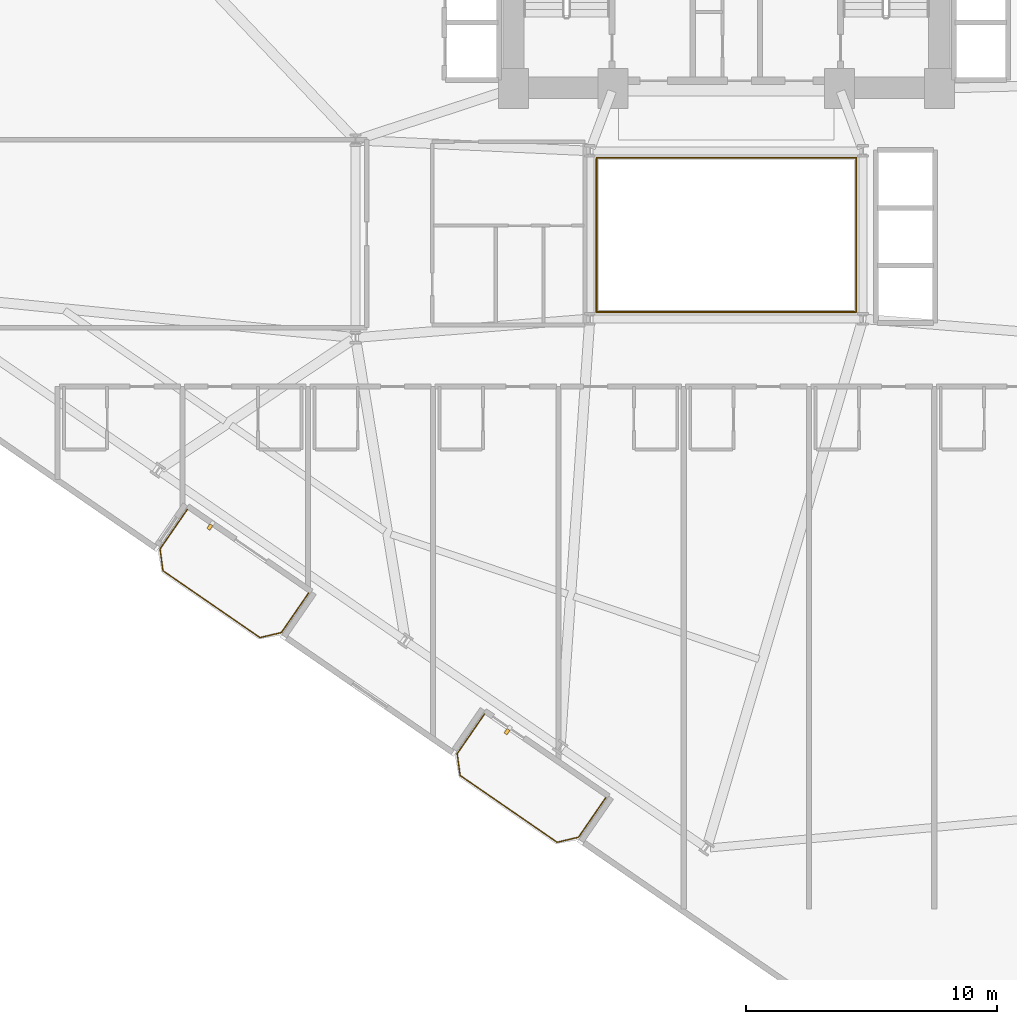
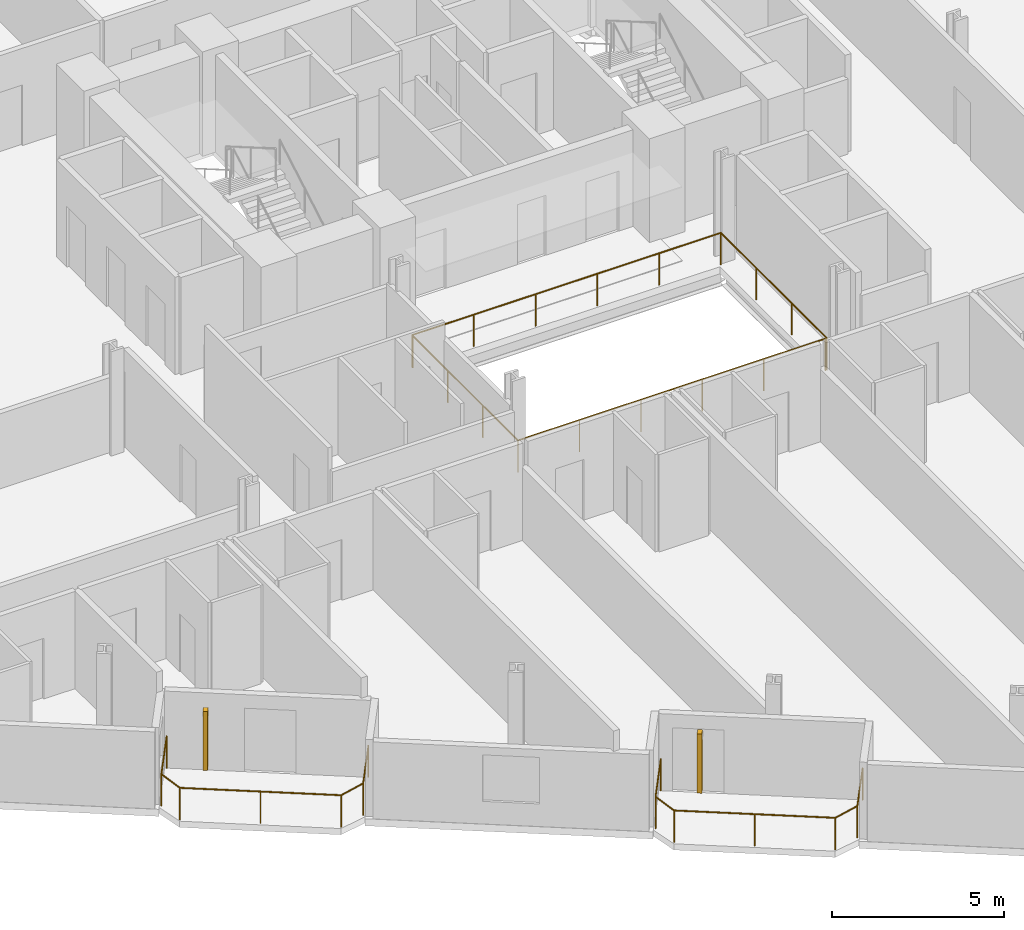
# One storey, part 23 of 25: 4 railings, 2 shading devices.
"""IFC4 building model written with IfcOpenShell, lengths in metres."""

from ifc_helpers import new_model, si_unit, direction, frame, origin, origin_2d, place, context, subcontext, project, spatial, rectangle, circle, extrude, source, transform, mapped, material, type_object, element, save


model = new_model("IFC4")

# Units and contexts
model_context = context("Model", 3, precision=1e-05, world=origin(), true_north=direction((0.0, 1.0)))
body_context = subcontext(model_context, "Body", "Model", "MODEL_VIEW")
ifc_project = project(units=[si_unit("LENGTHUNIT", "METRE"), si_unit("AREAUNIT", "SQUARE_METRE"), si_unit("VOLUMEUNIT", "CUBIC_METRE"), si_unit("PLANEANGLEUNIT", "RADIAN"), si_unit("MASSUNIT", "GRAM", prefix="KILO")], contexts=[model_context])

# Site, building, storey
site_placement = place(None, origin())
site = spatial("IfcSite", under=ifc_project, at=site_placement, CompositionType="ELEMENT")
building_placement = place(site_placement, origin())
building = spatial("IfcBuilding", under=site, at=building_placement, Name="Varnelok Gate Tower", CompositionType="ELEMENT")
storey_placement = place(building_placement, frame((0.0, 0.0, 34.39990234375)))
storey = spatial("IfcBuildingStorey", under=building, at=storey_placement, Name="L07", CompositionType="ELEMENT", Elevation=34.39990234375)

# Railings
ifc_material_1 = material(Name="Tempered Laminated Balustrade Glass", Category="glass")
railing_type_1 = type_object("IfcRailingType", Name="RL-ATR-GUARD1150", PredefinedType="GUARDRAIL", material=ifc_material_1)
railing_1_placement = place(storey_placement, frame((34.02001953125, 25.929931640625, 0.0)))
element("IfcRailing", 1, at=railing_1_placement, inside=storey, type_object=railing_type_1, Name="L07 Internal Atrium South-West Guardrail", PredefinedType="GUARDRAIL", context=body_context, shape_type="SweptSolid", body=[
    extrude(circle(Radius=0.02392578125, at=origin_2d()), frame((0.0, 0.0, 1.1259765625), z_axis=(0.0, -1.0, 0.0), x_axis=(1.0, 0.0, 0.0)), (0.0, 0.0, 1.0), 6.10986328125),
    extrude(circle(Radius=0.02392578125, at=origin_2d()), frame((0.0, -6.10986328125, 1.1259765625), z_axis=(1.0, 0.0, 0.0), x_axis=(0.0, 1.0, 0.0)), (0.0, 0.0, 1.0), 10.31005859375),
    extrude(circle(Radius=0.02099609375, at=origin_2d()), origin(), (0.0, 0.0, 1.0), 1.101806640625),
    extrude(circle(Radius=0.02099609375, at=origin_2d()), frame((0.0, -2.03662109375, 0.0)), (0.0, 0.0, 1.0), 1.101806640625),
    extrude(circle(Radius=0.02099609375, at=origin_2d()), frame((0.0, -4.0732421875, 0.0)), (0.0, 0.0, 1.0), 1.101806640625),
    extrude(circle(Radius=0.02099609375, at=origin_2d()), frame((0.0, -6.10986328125, 0.0)), (0.0, 0.0, 1.0), 1.101806640625),
    extrude(circle(Radius=0.02099609375, at=origin_2d()), frame((2.06201171875, -6.10986328125, 0.0)), (0.0, 0.0, 1.0), 1.101806640625),
    extrude(circle(Radius=0.02099609375, at=origin_2d()), frame((4.1240234375, -6.10986328125, 0.0)), (0.0, 0.0, 1.0), 1.101806640625),
    extrude(circle(Radius=0.02099609375, at=origin_2d()), frame((6.18603515625, -6.10986328125, 0.0)), (0.0, 0.0, 1.0), 1.101806640625),
    extrude(circle(Radius=0.02099609375, at=origin_2d()), frame((8.248046875, -6.10986328125, 0.0)), (0.0, 0.0, 1.0), 1.101806640625),
    extrude(circle(Radius=0.02099609375, at=origin_2d()), frame((10.31005859375, -6.10986328125, 0.0)), (0.0, 0.0, 1.0), 1.101806640625),
])
railing_2_placement = place(storey_placement, frame((44.3798828125, 19.820068359375, 0.0)))
element("IfcRailing", 2, at=railing_2_placement, inside=storey, type_object=railing_type_1, Name="L07 Internal Atrium North-East Guardrail", PredefinedType="GUARDRAIL", context=body_context, shape_type="SweptSolid", body=[
    extrude(circle(Radius=0.02392578125, at=origin_2d()), frame((0.0, 0.0, 1.1259765625), z_axis=(0.0, 1.0, 0.0), x_axis=(-1.0, 0.0, 0.0)), (0.0, 0.0, 1.0), 6.159912109375),
    extrude(circle(Radius=0.02392578125, at=origin_2d()), frame((0.0, 6.159912109375, 1.1259765625), z_axis=(-1.0, 0.0, 0.0), x_axis=(0.0, -1.0, 0.0)), (0.0, 0.0, 1.0), 10.35986328125),
    extrude(circle(Radius=0.02099609375, at=origin_2d()), origin(), (0.0, 0.0, 1.0), 1.101806640625),
    extrude(circle(Radius=0.02099609375, at=origin_2d()), frame((0.0, 2.05322265625, 0.0)), (0.0, 0.0, 1.0), 1.101806640625),
    extrude(circle(Radius=0.02099609375, at=origin_2d()), frame((0.0, 4.106689453125, 0.0)), (0.0, 0.0, 1.0), 1.101806640625),
    extrude(circle(Radius=0.02099609375, at=origin_2d()), frame((0.0, 6.159912109375, 0.0)), (0.0, 0.0, 1.0), 1.101806640625),
    extrude(circle(Radius=0.02099609375, at=origin_2d()), frame((-2.072021484375, 6.159912109375, 0.0)), (0.0, 0.0, 1.0), 1.101806640625),
    extrude(circle(Radius=0.02099609375, at=origin_2d()), frame((-4.14404296875, 6.159912109375, 0.0)), (0.0, 0.0, 1.0), 1.101806640625),
    extrude(circle(Radius=0.02099609375, at=origin_2d()), frame((-6.2158203125, 6.159912109375, 0.0)), (0.0, 0.0, 1.0), 1.101806640625),
    extrude(circle(Radius=0.02099609375, at=origin_2d()), frame((-8.287841796875, 6.159912109375, 0.0)), (0.0, 0.0, 1.0), 1.101806640625),
    extrude(circle(Radius=0.02099609375, at=origin_2d()), frame((-10.35986328125, 6.159912109375, 0.0)), (0.0, 0.0, 1.0), 1.101806640625),
])
ifc_material_2 = material(Name="Low-E Laminated Double Glazing IGU", Category="glass")
railing_type_2 = type_object("IfcRailingType", Name="RL-BALC-1150", PredefinedType="BALUSTRADE", material=ifc_material_2)
railing_3_placement = place(storey_placement, frame((17.688720703125, 11.9462890625, 0.0)))
element("IfcRailing", 3, at=railing_3_placement, inside=storey, type_object=railing_type_2, Name="L07 South Terrace Balustrade 1", PredefinedType="BALUSTRADE", context=body_context, shape_type="SweptSolid", body=[
    extrude(circle(Radius=0.02392578125, at=origin_2d()), frame((0.0, 0.0, 1.1259765625), z_axis=(-0.567224752248, -0.823563039747, 0.0), x_axis=(0.823563039747, -0.567224752248, 0.0)), (0.0, 0.0, 1.0), 1.920166015625),
    extrude(circle(Radius=0.02392578125, at=origin_2d()), frame((-1.089111328125, -1.581298828125, 1.1259765625), z_axis=(0.133511834152, -0.991047218926, 0.0), x_axis=(0.991047218926, 0.133511834152, 0.0)), (0.0, 0.0, 1.0), 0.877685546875),
    extrude(circle(Radius=0.02392578125, at=origin_2d()), frame((-0.971923828125, -2.451171875, 1.1259765625), z_axis=(0.823523239622, -0.567282534371, 0.0), x_axis=(0.567282534371, 0.823523239622, 0.0)), (0.0, 0.0, 1.0), 4.699951171875),
    extrude(circle(Radius=0.02392578125, at=origin_2d()), frame((2.898681640625, -5.117431640625, 1.1259765625), z_axis=(0.973573806257, 0.228372598553, 0.0), x_axis=(-0.228372598553, 0.973573806257, 0.0)), (0.0, 0.0, 1.0), 0.877685546875),
    extrude(circle(Radius=0.02392578125, at=origin_2d()), frame((3.753173828125, -4.9169921875, 1.1259765625), z_axis=(0.567224752248, 0.823563039747, 0.0), x_axis=(-0.823563039747, 0.567224752248, 0.0)), (0.0, 0.0, 1.0), 1.920166015625),
    extrude(circle(Radius=0.02099609375, at=origin_2d()), origin(), (0.0, 0.0, 1.0), 1.101806640625),
    extrude(circle(Radius=0.02099609375, at=origin_2d()), frame((-1.089111328125, -1.581298828125, 0.0)), (0.0, 0.0, 1.0), 1.101806640625),
    extrude(circle(Radius=0.02099609375, at=origin_2d()), frame((-0.971923828125, -2.451171875, 0.0)), (0.0, 0.0, 1.0), 1.101806640625),
    extrude(circle(Radius=0.02099609375, at=origin_2d()), frame((0.96337890625, -3.7841796875, 0.0)), (0.0, 0.0, 1.0), 1.101806640625),
    extrude(circle(Radius=0.02099609375, at=origin_2d()), frame((2.898681640625, -5.117431640625, 0.0)), (0.0, 0.0, 1.0), 1.101806640625),
    extrude(circle(Radius=0.02099609375, at=origin_2d()), frame((3.753173828125, -4.9169921875, 0.0)), (0.0, 0.0, 1.0), 1.101806640625),
    extrude(circle(Radius=0.02099609375, at=origin_2d()), frame((4.84228515625, -3.335693359375, 0.0)), (0.0, 0.0, 1.0), 1.101806640625),
])
railing_4_placement = place(storey_placement, frame((29.547607421875, 3.777587890625, 0.0)))
element("IfcRailing", 4, at=railing_4_placement, inside=storey, type_object=railing_type_2, Name="L07 South Terrace Balustrade 2", PredefinedType="BALUSTRADE", context=body_context, shape_type="SweptSolid", body=[
    extrude(circle(Radius=0.02392578125, at=origin_2d()), frame((0.0, 0.0, 1.1259765625), z_axis=(-0.567224752248, -0.823563039747, 0.0), x_axis=(0.823563039747, -0.567224752248, 0.0)), (0.0, 0.0, 1.0), 1.920166015625),
    extrude(circle(Radius=0.02392578125, at=origin_2d()), frame((-1.089111328125, -1.581298828125, 1.1259765625), z_axis=(0.133511834152, -0.991047218926, 0.0), x_axis=(0.991047218926, 0.133511834152, 0.0)), (0.0, 0.0, 1.0), 0.877685546875),
    extrude(circle(Radius=0.02392578125, at=origin_2d()), frame((-0.971923828125, -2.451171875, 1.1259765625), z_axis=(0.823523239622, -0.567282534371, 0.0), x_axis=(0.567282534371, 0.823523239622, 0.0)), (0.0, 0.0, 1.0), 4.699951171875),
    extrude(circle(Radius=0.02392578125, at=origin_2d()), frame((2.898681640625, -5.117431640625, 1.1259765625), z_axis=(0.973511928193, 0.228636229993, 0.0), x_axis=(-0.228636229993, 0.973511928193, 0.0)), (0.0, 0.0, 1.0), 0.877685546875),
    extrude(circle(Radius=0.02392578125, at=origin_2d()), frame((3.753173828125, -4.916748046875, 1.1259765625), z_axis=(0.567284155424, 0.82352212296, 0.0), x_axis=(-0.82352212296, 0.567284155424, 0.0)), (0.0, 0.0, 1.0), 1.919921875),
    extrude(circle(Radius=0.02099609375, at=origin_2d()), origin(), (0.0, 0.0, 1.0), 1.101806640625),
    extrude(circle(Radius=0.02099609375, at=origin_2d()), frame((-1.089111328125, -1.581298828125, 0.0)), (0.0, 0.0, 1.0), 1.101806640625),
    extrude(circle(Radius=0.02099609375, at=origin_2d()), frame((-0.971923828125, -2.451171875, 0.0)), (0.0, 0.0, 1.0), 1.101806640625),
    extrude(circle(Radius=0.02099609375, at=origin_2d()), frame((0.96337890625, -3.7841796875, 0.0)), (0.0, 0.0, 1.0), 1.101806640625),
    extrude(circle(Radius=0.02099609375, at=origin_2d()), frame((2.898681640625, -5.117431640625, 0.0)), (0.0, 0.0, 1.0), 1.101806640625),
    extrude(circle(Radius=0.02099609375, at=origin_2d()), frame((3.753173828125, -4.916748046875, 0.0)), (0.0, 0.0, 1.0), 1.101806640625),
    extrude(circle(Radius=0.02099609375, at=origin_2d()), frame((4.84228515625, -3.335693359375, 0.0)), (0.0, 0.0, 1.0), 1.101806640625),
])

# Shading devices
ifc_material_3 = material(Name="Glazed Architectural Terracotta Ceramic", Category="masonry")
shading_device_type = type_object("IfcShadingDeviceType", Name="SHD-TERRA-FIN", PredefinedType="USERDEFINED", material=ifc_material_3)
shared_shape = source(origin(), body_context, "Body", "SweptSolid", [
    extrude(rectangle(XDim=0.139892578125, YDim=0.219970703125, at=origin_2d()), origin(), (0.0, 0.0, 1.0), 2.10009765625),
])
for number, where, z_axis, x_axis, name in (
    (5, (18.587890625, 11.24169921875, 0.10009765625), (0.0, 0.0, 1.0), (0.823532597628, -0.567268949127, 0.0), "L07 Terracotta Ceramic Baguette Sunscreen 1.1"),
    (6, (30.44677734375, 3.072998046875, 0.10009765625), (0.0, 0.0, 1.0), (0.823532597628, -0.567268949127, 0.0), "L07 Terracotta Ceramic Baguette Sunscreen 2.1"),
):
    element("IfcShadingDevice", number, at=place(storey_placement, frame(where, z_axis=z_axis, x_axis=x_axis)), inside=storey, type_object=shading_device_type, Name=name, ObjectType="BAGUETTE", PredefinedType="USERDEFINED", context=body_context, shape_type="MappedRepresentation", body=[
        mapped(shared_shape, transform((0.0, 0.0, 0.0), scale=1.0)),
    ])

save(model, "model.ifc")
